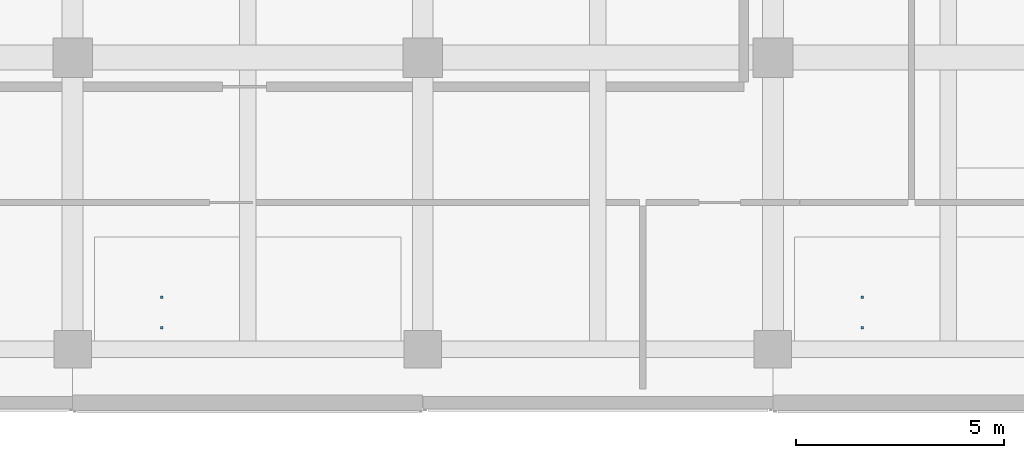
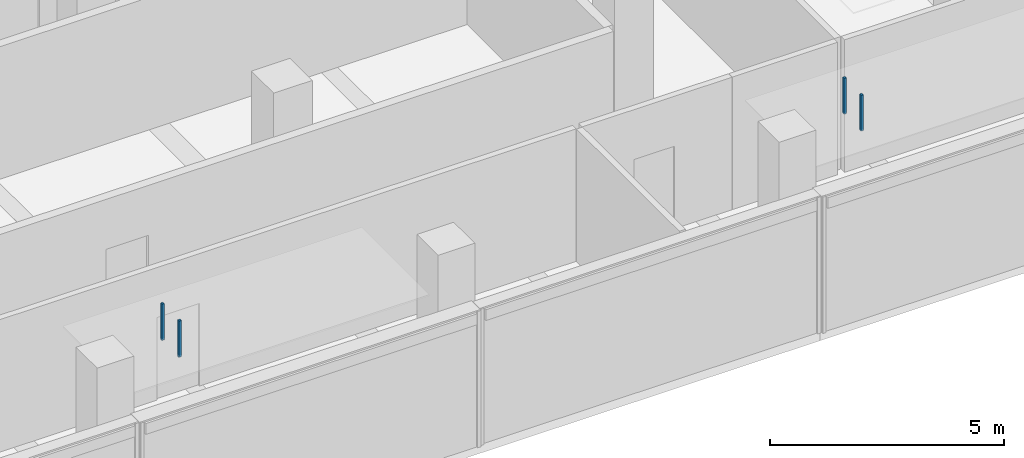
# One storey, part 30 of 59: 4 discrete accessories.
"""IFC4 building model written with IfcOpenShell, lengths in metres."""

from ifc_helpers import new_model, si_unit, direction, frame, origin, origin_2d, place, context, subcontext, project, spatial, rectangle, extrude, material, type_object, element, save


model = new_model("IFC4")

# Units and contexts
model_context = context("Model", 3, precision=1e-05, world=origin(), true_north=direction((0.0, 1.0)))
body_context = subcontext(model_context, "Body", "Model", "MODEL_VIEW")
ifc_project = project(units=[si_unit("LENGTHUNIT", "METRE"), si_unit("AREAUNIT", "SQUARE_METRE"), si_unit("VOLUMEUNIT", "CUBIC_METRE"), si_unit("PLANEANGLEUNIT", "RADIAN"), si_unit("MASSUNIT", "GRAM", prefix="KILO")], contexts=[model_context])

# Site, building, storey
site_placement = place(None, origin())
site = spatial("IfcSite", under=ifc_project, at=site_placement, CompositionType="ELEMENT")
building_placement = place(site_placement, origin())
building = spatial("IfcBuilding", under=site, at=building_placement, Name="Telukmera Botanical Conservatory", CompositionType="ELEMENT")
storey_placement = place(building_placement, frame((0.0, 0.0, 15.0)))
storey = spatial("IfcBuildingStorey", under=building, at=storey_placement, Name="L03", CompositionType="ELEMENT", Elevation=15.0)

# Discrete accessories
ifc_material = material(Name="Steel S355", Category="steel")
discrete_accessory_type = type_object("IfcDiscreteAccessoryType", Name="ACC-CEIL-HGR", PredefinedType="BRACKET", material=ifc_material)
for number, where, z_axis, x_axis, name in (
    (1, (77.7392578125, 11.125, 3.31005859375), (0.0, 0.0, 1.0), (1.0, 0.0, 0.0), "L03 Suspended Ceiling Hanger Rod 040-1"),
    (2, (77.7392578125, 11.85009765625, 3.31005859375), (0.0, 0.0, 1.0), (1.0, 0.0, 0.0), "L03 Suspended Ceiling Hanger Rod 040-2"),
):
    element("IfcDiscreteAccessory", number, at=place(storey_placement, frame(where, z_axis=z_axis, x_axis=x_axis)), inside=storey, type_object=discrete_accessory_type, Name=name, PredefinedType="BRACKET", context=body_context, shape_type="SweptSolid", body=[
        extrude(rectangle(XDim=0.06005859375, YDim=0.06005859375, at=origin_2d()), origin(), (0.0, 0.0, 1.0), 0.945068359375),
    ])
for number, where, z_axis, x_axis, name in (
    (3, (94.539306640625, 11.125, 3.320068359375), (0.0, 0.0, 1.0), (1.0, 0.0, 0.0), "L03 Suspended Ceiling Hanger Rod 041-1"),
    (4, (94.539306640625, 11.85009765625, 3.320068359375), (0.0, 0.0, 1.0), (1.0, 0.0, 0.0), "L03 Suspended Ceiling Hanger Rod 041-2"),
):
    element("IfcDiscreteAccessory", number, at=place(storey_placement, frame(where, z_axis=z_axis, x_axis=x_axis)), inside=storey, type_object=discrete_accessory_type, Name=name, PredefinedType="BRACKET", context=body_context, shape_type="SweptSolid", body=[
        extrude(rectangle(XDim=0.06005859375, YDim=0.06005859375, at=origin_2d()), origin(), (0.0, 0.0, 1.0), 0.93505859375),
    ])

save(model, "model.ifc")
